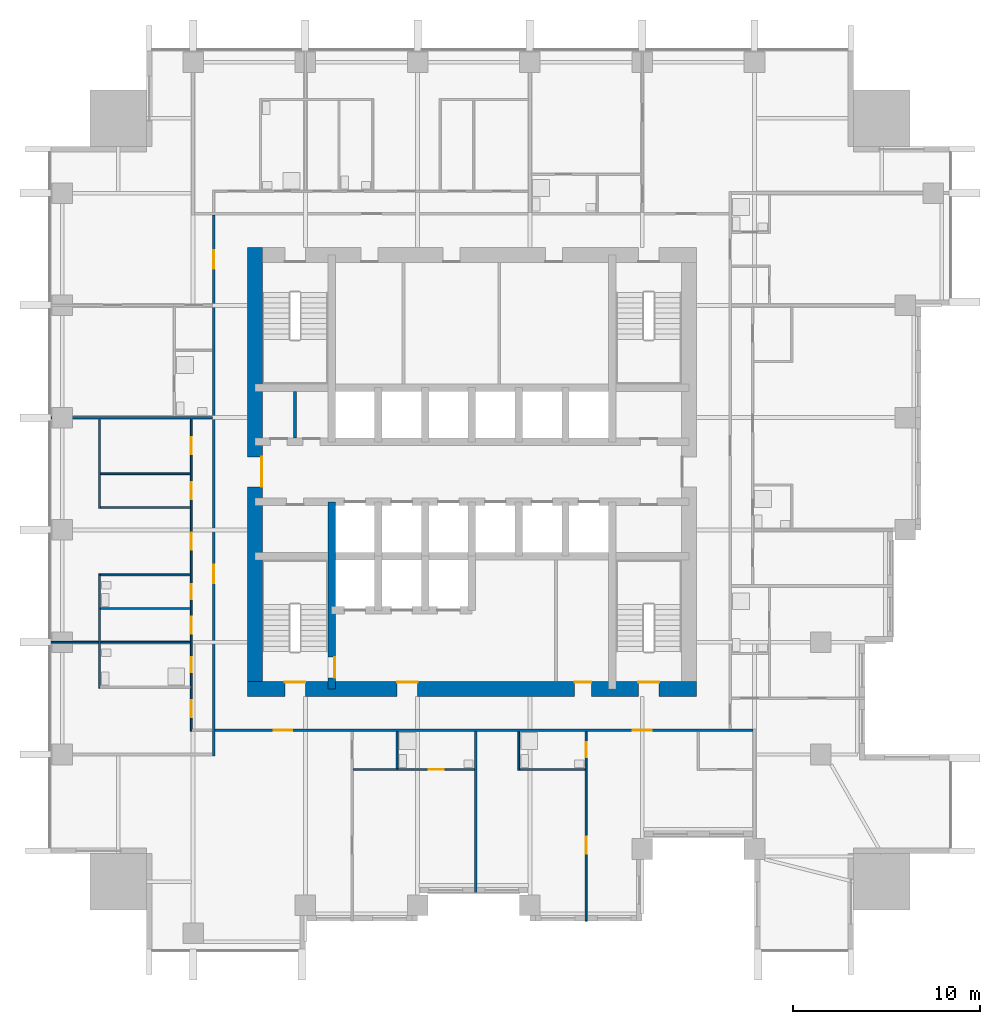
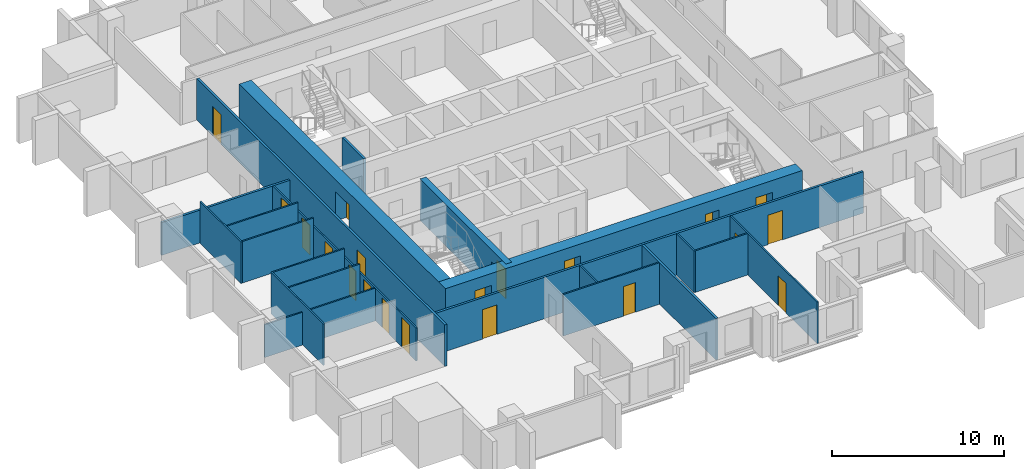
# One storey, part 4 of 10: 21 walls, 20 doors, 20 openings.
"""IFC4 building model written with IfcOpenShell, lengths in metres."""

from ifc_helpers import new_model, si_unit, direction, frame, frame_2d, origin, place, context, subcontext, project, spatial, rectangle, extrude, material, layer, layer_set, type_object, element, fill, save


model = new_model("IFC4")

# Units and contexts
model_context = context("Model", 3, precision=1e-05, world=origin(), true_north=direction((0.0, 1.0)))
body_context = subcontext(model_context, "Body", "Model", "MODEL_VIEW")
ifc_project = project(units=[si_unit("LENGTHUNIT", "METRE"), si_unit("AREAUNIT", "SQUARE_METRE"), si_unit("VOLUMEUNIT", "CUBIC_METRE"), si_unit("PLANEANGLEUNIT", "RADIAN"), si_unit("MASSUNIT", "GRAM", prefix="KILO")], contexts=[model_context])

# Site, building, storey
site_placement = place(None, origin())
site = spatial("IfcSite", under=ifc_project, at=site_placement, CompositionType="ELEMENT")
building_placement = place(site_placement, origin())
building = spatial("IfcBuilding", under=site, at=building_placement, Name="Amberfall Residences", CompositionType="ELEMENT")
storey_placement = place(building_placement, frame((0.0, 0.0, 121.60009765625)))
storey = spatial("IfcBuildingStorey", under=building, at=storey_placement, Name="L33", CompositionType="ELEMENT", Elevation=121.60009765625)

# Wall, opening, door
ifc_material_1 = material(Name="Concrete C70", Category="concrete")
ifc_layer_1 = layer(ifc_material_1, 0.39990234375)
ifc_layer_set_1 = layer_set([ifc_layer_1], Name="Core wall 400 C70")
wall_type_1 = type_object("IfcWallType", Name="Core wall 400 C70", PredefinedType="SHEAR", material=ifc_layer_set_1)
wall_1_placement = place(storey_placement, frame((67.0, 33.89990234375, 0.0), z_axis=(0.0, 0.0, 1.0), x_axis=(0.0, 1.0, 0.0)))
wall_1 = element("IfcWall", 1, at=wall_1_placement, inside=storey, type_object=wall_type_1, Name="Core wall RW4 L33 V45S", PredefinedType="SHEAR", context=body_context, shape_type="SweptSolid", body=[
    extrude(rectangle(XDim=10.0, YDim=0.39990234375, at=frame_2d((5.0, 0.0))), origin(), (0.0, 0.0, 1.0), 2.949951171875),
])
opening_1_placement = place(wall_1_placement, frame((0.60009765625, 0.0, 0.0)))
opening_1 = element("IfcOpeningElement", 2, at=opening_1_placement, cuts=wall_1, Name="Opening FL1", PredefinedType="OPENING", context=body_context, shape_type="SweptSolid", body=[
    extrude(rectangle(XDim=1.10009765625, YDim=2.10009765625, at=frame_2d((0.550048828125, 1.050048828125))), frame((0.0, 0.2099609375, 0.0), z_axis=(0.0, -1.0, 0.0), x_axis=(1.0, 0.0, 0.0)), (0.0, 0.0, 1.0), 0.419921875),
])
ifc_material_2 = material(Name="Steel fire door set", Category="steel")
door_type_1 = type_object("IfcDoorType", Name="Firefighting lobby door 1100 x 2100", OperationType="SINGLE_SWING_LEFT", PredefinedType="DOOR", material=ifc_material_2)
door_1_placement = place(opening_1_placement, origin())
door_1 = element("IfcDoor", 3, at=door_1_placement, inside=storey, type_object=door_type_1, Name="FL1 L33", OperationType="SINGLE_SWING_RIGHT", OverallHeight=2.10009765625, OverallWidth=1.10009765625, PredefinedType="DOOR", context=body_context, shape_type="SweptSolid", body=[
    extrude(rectangle(XDim=1.10009765625, YDim=2.10009765625, at=frame_2d((0.550048828125, 1.050048828125))), frame((0.0, -0.1376953125, 0.0), z_axis=(0.0, -1.0, 0.0), x_axis=(1.0, 0.0, 0.0)), (0.0, 0.0, 1.0), 0.050048828125),
])
fill(opening_1, door_1)

# Wall, openings, doors
ifc_layer_2 = layer(ifc_material_1, 0.800048828125)
ifc_layer_set_2 = layer_set([ifc_layer_2], Name="Core wall 800 C70")
wall_type_2 = type_object("IfcWallType", Name="Core wall 800 C70", PredefinedType="SHEAR", material=ifc_layer_set_2)
wall_2_placement = place(storey_placement, frame((62.5, 33.89990234375, 0.0), z_axis=(0.0, 0.0, 1.0), x_axis=(1.0, 0.0, 0.0)))
wall_2 = element("IfcWall", 4, at=wall_2_placement, inside=storey, type_object=wall_type_2, Name="Core wall RW3 L33 OS", PredefinedType="SHEAR", context=body_context, shape_type="SweptSolid", body=[
    extrude(rectangle(XDim=24.0, YDim=0.800048828125, at=frame_2d((12.0, 0.0))), origin(), (0.0, 0.0, 1.0), 2.949951171875),
])
opening_2_placement = place(wall_2_placement, frame((2.0, 0.0, 0.0)))
opening_2 = element("IfcOpeningElement", 5, at=opening_2_placement, cuts=wall_2, Name="Opening SD1", PredefinedType="OPENING", context=body_context, shape_type="SweptSolid", body=[
    extrude(rectangle(XDim=1.10009765625, YDim=2.10009765625, at=frame_2d((0.550048828125, 1.050048828125))), frame((0.0, 0.409912109375, 0.0), z_axis=(0.0, -1.0, 0.0), x_axis=(1.0, 0.0, 0.0)), (0.0, 0.0, 1.0), 0.820068359375),
])
opening_3_placement = place(wall_2_placement, frame((20.89990234375, 0.0, 0.0)))
opening_3 = element("IfcOpeningElement", 6, at=opening_3_placement, cuts=wall_2, Name="Opening SD1", PredefinedType="OPENING", context=body_context, shape_type="SweptSolid", body=[
    extrude(rectangle(XDim=1.10009765625, YDim=2.10009765625, at=frame_2d((0.550048828125, 1.050048828125))), frame((0.0, 0.409912109375, 0.0), z_axis=(0.0, -1.0, 0.0), x_axis=(1.0, 0.0, 0.0)), (0.0, 0.0, 1.0), 0.820068359375),
])
opening_4_placement = place(wall_2_placement, frame((8.0, 0.0, 0.0)))
opening_4 = element("IfcOpeningElement", 7, at=opening_4_placement, cuts=wall_2, Name="Opening FL1", PredefinedType="OPENING", context=body_context, shape_type="SweptSolid", body=[
    extrude(rectangle(XDim=1.10009765625, YDim=2.10009765625, at=frame_2d((0.550048828125, 1.050048828125))), frame((0.0, 0.409912109375, 0.0), z_axis=(0.0, -1.0, 0.0), x_axis=(1.0, 0.0, 0.0)), (0.0, 0.0, 1.0), 0.820068359375),
])
opening_5_placement = place(wall_2_placement, frame((17.487548828125, 0.0, 0.0)))
opening_5 = element("IfcOpeningElement", 8, at=opening_5_placement, cuts=wall_2, Name="Opening RD1", PredefinedType="OPENING", context=body_context, shape_type="SweptSolid", body=[
    extrude(rectangle(XDim=0.89990234375, YDim=2.10009765625, at=frame_2d((0.449951171875, 1.050048828125))), frame((0.0, 0.409912109375, 0.0), z_axis=(0.0, -1.0, 0.0), x_axis=(1.0, 0.0, 0.0)), (0.0, 0.0, 1.0), 0.820068359375),
])
door_2_placement = place(opening_4_placement, origin())
door_2 = element("IfcDoor", 9, at=door_2_placement, inside=storey, type_object=door_type_1, Name="FL1 L33", OperationType="SINGLE_SWING_LEFT", OverallHeight=2.10009765625, OverallWidth=1.10009765625, PredefinedType="DOOR", context=body_context, shape_type="SweptSolid", body=[
    extrude(rectangle(XDim=1.10009765625, YDim=2.10009765625, at=frame_2d((0.550048828125, 1.050048828125))), frame((0.0, 0.3876953125, 0.0), z_axis=(0.0, -1.0, 0.0), x_axis=(1.0, 0.0, 0.0)), (0.0, 0.0, 1.0), 0.050048828125),
])
fill(opening_4, door_2)
door_type_2 = type_object("IfcDoorType", Name="Service room door 900 x 2100", OperationType="SINGLE_SWING_LEFT", PredefinedType="DOOR", material=ifc_material_2)
door_3_placement = place(opening_5_placement, origin())
door_3 = element("IfcDoor", 10, at=door_3_placement, inside=storey, type_object=door_type_2, Name="RD1 L33", OperationType="SINGLE_SWING_LEFT", OverallHeight=2.10009765625, OverallWidth=0.89990234375, PredefinedType="DOOR", context=body_context, shape_type="SweptSolid", body=[
    extrude(rectangle(XDim=0.89990234375, YDim=2.10009765625, at=frame_2d((0.449951171875, 1.050048828125))), frame((0.0, 0.3876953125, 0.0), z_axis=(0.0, -1.0, 0.0), x_axis=(1.0, 0.0, 0.0)), (0.0, 0.0, 1.0), 0.050048828125),
])
fill(opening_5, door_3)
door_type_3 = type_object("IfcDoorType", Name="Stair door 1100 x 2100", OperationType="SINGLE_SWING_LEFT", PredefinedType="DOOR", material=ifc_material_2)
door_4_placement = place(opening_2_placement, origin())
door_4 = element("IfcDoor", 11, at=door_4_placement, inside=storey, type_object=door_type_3, Name="SD1 L33", OperationType="SINGLE_SWING_LEFT", OverallHeight=2.10009765625, OverallWidth=1.10009765625, PredefinedType="DOOR", context=body_context, shape_type="SweptSolid", body=[
    extrude(rectangle(XDim=1.10009765625, YDim=2.10009765625, at=frame_2d((0.550048828125, 1.050048828125))), frame((0.0, 0.3876953125, 0.0), z_axis=(0.0, -1.0, 0.0), x_axis=(1.0, 0.0, 0.0)), (0.0, 0.0, 1.0), 0.050048828125),
])
fill(opening_2, door_4)
door_5_placement = place(opening_3_placement, origin())
door_5 = element("IfcDoor", 12, at=door_5_placement, inside=storey, type_object=door_type_3, Name="SD1 L33", OperationType="SINGLE_SWING_RIGHT", OverallHeight=2.10009765625, OverallWidth=1.10009765625, PredefinedType="DOOR", context=body_context, shape_type="SweptSolid", body=[
    extrude(rectangle(XDim=1.10009765625, YDim=2.10009765625, at=frame_2d((0.550048828125, 1.050048828125))), frame((0.0, 0.3876953125, 0.0), z_axis=(0.0, -1.0, 0.0), x_axis=(1.0, 0.0, 0.0)), (0.0, 0.0, 1.0), 0.050048828125),
])
fill(opening_3, door_5)

# Wall, opening, door
wall_3_placement = place(storey_placement, frame((62.89990234375, 33.5, 0.0), z_axis=(0.0, 0.0, 1.0), x_axis=(0.0, 1.0, 0.0)))
wall_3 = element("IfcWall", 13, at=wall_3_placement, inside=storey, type_object=wall_type_2, Name="Core wall RW3 L33 OW", PredefinedType="SHEAR", context=body_context, shape_type="SweptSolid", body=[
    extrude(rectangle(XDim=24.0, YDim=0.800048828125, at=frame_2d((12.0, 0.0))), origin(), (0.0, 0.0, 1.0), 2.949951171875),
])
opening_6_placement = place(wall_3_placement, frame((11.199951171875, 0.0, 0.0)))
opening_6 = element("IfcOpeningElement", 14, at=opening_6_placement, cuts=wall_3, Name="Opening LB1", PredefinedType="OPENING", context=body_context, shape_type="SweptSolid", body=[
    extrude(rectangle(XDim=1.60009765625, YDim=2.10009765625, at=frame_2d((0.800048828125, 1.050048828125))), frame((0.0, 0.409912109375, 0.0), z_axis=(0.0, -1.0, 0.0), x_axis=(1.0, 0.0, 0.0)), (0.0, 0.0, 1.0), 0.820068359375),
])
door_type_4 = type_object("IfcDoorType", Name="Lift lobby double door 1600 x 2100", OperationType="DOUBLE_DOOR_SINGLE_SWING", PredefinedType="DOOR", material=ifc_material_2)
door_6_placement = place(opening_6_placement, origin())
door_6 = element("IfcDoor", 15, at=door_6_placement, inside=storey, type_object=door_type_4, Name="LB1 L33", OperationType="DOUBLE_DOOR_SINGLE_SWING", OverallHeight=2.10009765625, OverallWidth=1.60009765625, PredefinedType="DOOR", context=body_context, shape_type="SweptSolid", body=[
    extrude(rectangle(XDim=1.60009765625, YDim=2.10009765625, at=frame_2d((0.800048828125, 1.050048828125))), frame((0.0, -0.33740234375, 0.0), z_axis=(0.0, -1.0, 0.0), x_axis=(1.0, 0.0, 0.0)), (0.0, 0.0, 1.0), 0.050048828125),
])
fill(opening_6, door_6)

# Walls
ifc_material_3 = material(Name="Gypsum board on metal stud")
ifc_layer_3 = layer(ifc_material_3, 0.10009765625)
ifc_layer_set_3 = layer_set([ifc_layer_3], Name="Flat partition 100")
wall_type_3 = type_object("IfcWallType", Name="Flat partition 100", PredefinedType="PARTITIONING", material=ifc_layer_set_3)
wall_4_placement = place(storey_placement, frame((54.60009765625, 33.949951171875, 0.0), z_axis=(0.0, 0.0, 1.0), x_axis=(0.0, 1.0, 0.0)))
element("IfcWall", 16, at=wall_4_placement, inside=storey, type_object=wall_type_3, Name="Partition 001", PredefinedType="PARTITIONING", context=body_context, shape_type="SweptSolid", body=[
    extrude(rectangle(XDim=6.10009765625, YDim=0.10009765625, at=frame_2d((3.050048828125, 0.0))), origin(), (0.0, 0.0, 1.0), 2.949951171875),
])
wall_5_placement = place(storey_placement, frame((54.60009765625, 43.550048828125, 0.0), z_axis=(0.0, 0.0, 1.0), x_axis=(0.0, 1.0, 0.0)))
element("IfcWall", 17, at=wall_5_placement, inside=storey, type_object=wall_type_3, Name="Partition 002", PredefinedType="PARTITIONING", context=body_context, shape_type="SweptSolid", body=[
    extrude(rectangle(XDim=4.77490234375, YDim=0.10009765625, at=frame_2d((2.387451171875, 0.0))), origin(), (0.0, 0.0, 1.0), 2.949951171875),
])

# Wall, openings, doors
wall_6_placement = place(storey_placement, frame((59.5, 31.64990234375, 0.0), z_axis=(0.0, 0.0, 1.0), x_axis=(0.0, 1.0, 0.0)))
wall_6 = element("IfcWall", 18, at=wall_6_placement, inside=storey, type_object=wall_type_3, Name="Partition 004", PredefinedType="PARTITIONING", context=body_context, shape_type="SweptSolid", body=[
    extrude(rectangle(XDim=16.675048828125, YDim=0.10009765625, at=frame_2d((8.33740234375, 0.0))), origin(), (0.0, 0.0, 1.0), 2.331787109375),
])
opening_7_placement = place(wall_6_placement, frame((9.699951171875, 0.0, 0.0)))
opening_7 = element("IfcOpeningElement", 19, at=opening_7_placement, cuts=wall_6, Name="Opening D41", PredefinedType="OPENING", context=body_context, shape_type="SweptSolid", body=[
    extrude(rectangle(XDim=0.89990234375, YDim=2.10009765625, at=frame_2d((0.449951171875, 1.050048828125))), frame((0.0, 0.06005859375, 0.0), z_axis=(0.0, -1.0, 0.0), x_axis=(1.0, 0.0, 0.0)), (0.0, 0.0, 1.0), 0.1201171875),
])
opening_8_placement = place(wall_6_placement, frame((14.800048828125, 0.0, 0.0)))
opening_8 = element("IfcOpeningElement", 20, at=opening_8_placement, cuts=wall_6, Name="Opening D41", PredefinedType="OPENING", context=body_context, shape_type="SweptSolid", body=[
    extrude(rectangle(XDim=0.89990234375, YDim=2.10009765625, at=frame_2d((0.449951171875, 1.050048828125))), frame((0.0, 0.06005859375, 0.0), z_axis=(0.0, -1.0, 0.0), x_axis=(1.0, 0.0, 0.0)), (0.0, 0.0, 1.0), 0.1201171875),
])
opening_9_placement = place(wall_6_placement, frame((12.39990234375, 0.0, 0.0)))
opening_9 = element("IfcOpeningElement", 21, at=opening_9_placement, cuts=wall_6, Name="Opening D41", PredefinedType="OPENING", context=body_context, shape_type="SweptSolid", body=[
    extrude(rectangle(XDim=0.89990234375, YDim=2.10009765625, at=frame_2d((0.449951171875, 1.050048828125))), frame((0.0, 0.06005859375, 0.0), z_axis=(0.0, -1.0, 0.0), x_axis=(1.0, 0.0, 0.0)), (0.0, 0.0, 1.0), 0.1201171875),
])
opening_10_placement = place(wall_6_placement, frame((5.199951171875, 0.0, 0.0)))
opening_10 = element("IfcOpeningElement", 22, at=opening_10_placement, cuts=wall_6, Name="Opening D41", PredefinedType="OPENING", context=body_context, shape_type="SweptSolid", body=[
    extrude(rectangle(XDim=0.89990234375, YDim=2.10009765625, at=frame_2d((0.449951171875, 1.050048828125))), frame((0.0, 0.06005859375, 0.0), z_axis=(0.0, -1.0, 0.0), x_axis=(1.0, 0.0, 0.0)), (0.0, 0.0, 1.0), 0.1201171875),
])
opening_11_placement = place(wall_6_placement, frame((7.050048828125, 0.0, 0.0)))
opening_11 = element("IfcOpeningElement", 23, at=opening_11_placement, cuts=wall_6, Name="Opening D42", PredefinedType="OPENING", context=body_context, shape_type="SweptSolid", body=[
    extrude(rectangle(XDim=0.800048828125, YDim=2.10009765625, at=frame_2d((0.39990234375, 1.050048828125))), frame((0.0, 0.06005859375, 0.0), z_axis=(0.0, -1.0, 0.0), x_axis=(1.0, 0.0, 0.0)), (0.0, 0.0, 1.0), 0.1201171875),
])
opening_12_placement = place(wall_6_placement, frame((0.75, 0.0, 0.0)))
opening_12 = element("IfcOpeningElement", 24, at=opening_12_placement, cuts=wall_6, Name="Opening D41", PredefinedType="OPENING", context=body_context, shape_type="SweptSolid", body=[
    extrude(rectangle(XDim=0.89990234375, YDim=2.10009765625, at=frame_2d((0.449951171875, 1.050048828125))), frame((0.0, 0.06005859375, 0.0), z_axis=(0.0, -1.0, 0.0), x_axis=(1.0, 0.0, 0.0)), (0.0, 0.0, 1.0), 0.1201171875),
])
opening_13_placement = place(wall_6_placement, frame((3.14990234375, 0.0, 0.0)))
opening_13 = element("IfcOpeningElement", 25, at=opening_13_placement, cuts=wall_6, Name="Opening D42", PredefinedType="OPENING", context=body_context, shape_type="SweptSolid", body=[
    extrude(rectangle(XDim=0.800048828125, YDim=2.10009765625, at=frame_2d((0.39990234375, 1.050048828125))), frame((0.0, 0.06005859375, 0.0), z_axis=(0.0, -1.0, 0.0), x_axis=(1.0, 0.0, 0.0)), (0.0, 0.0, 1.0), 0.1201171875),
])
ifc_material_4 = material(Name="Timber", Category="wood")
door_type_5 = type_object("IfcDoorType", Name="Bathroom door 800 x 2100", OperationType="SINGLE_SWING_LEFT", PredefinedType="DOOR", material=ifc_material_4)
door_7_placement = place(opening_11_placement, origin())
door_7 = element("IfcDoor", 26, at=door_7_placement, inside=storey, type_object=door_type_5, Name="Door 3308 wc1", OperationType="SINGLE_SWING_LEFT", OverallHeight=2.10009765625, OverallWidth=0.800048828125, PredefinedType="DOOR", context=body_context, shape_type="SweptSolid", body=[
    extrude(rectangle(XDim=0.800048828125, YDim=2.10009765625, at=frame_2d((0.39990234375, 1.050048828125))), frame((0.0, 0.02490234375, 0.0), z_axis=(0.0, -1.0, 0.0), x_axis=(1.0, 0.0, 0.0)), (0.0, 0.0, 1.0), 0.050048828125),
])
fill(opening_11, door_7)
door_8_placement = place(opening_13_placement, origin())
door_8 = element("IfcDoor", 27, at=door_8_placement, inside=storey, type_object=door_type_5, Name="Door 3308 bath1", OperationType="SINGLE_SWING_LEFT", OverallHeight=2.10009765625, OverallWidth=0.800048828125, PredefinedType="DOOR", context=body_context, shape_type="SweptSolid", body=[
    extrude(rectangle(XDim=0.800048828125, YDim=2.10009765625, at=frame_2d((0.39990234375, 1.050048828125))), frame((0.0, 0.02490234375, 0.0), z_axis=(0.0, -1.0, 0.0), x_axis=(1.0, 0.0, 0.0)), (0.0, 0.0, 1.0), 0.050048828125),
])
fill(opening_13, door_8)
door_type_6 = type_object("IfcDoorType", Name="Internal door 900 x 2100", OperationType="SINGLE_SWING_LEFT", PredefinedType="DOOR", material=ifc_material_4)
door_9_placement = place(opening_7_placement, origin())
door_9 = element("IfcDoor", 28, at=door_9_placement, inside=storey, type_object=door_type_6, Name="Door 3308 living", OperationType="SINGLE_SWING_LEFT", OverallHeight=2.10009765625, OverallWidth=0.89990234375, PredefinedType="DOOR", context=body_context, shape_type="SweptSolid", body=[
    extrude(rectangle(XDim=0.89990234375, YDim=2.10009765625, at=frame_2d((0.449951171875, 1.050048828125))), frame((0.0, 0.02490234375, 0.0), z_axis=(0.0, -1.0, 0.0), x_axis=(1.0, 0.0, 0.0)), (0.0, 0.0, 1.0), 0.050048828125),
])
fill(opening_7, door_9)
door_10_placement = place(opening_8_placement, origin())
door_10 = element("IfcDoor", 29, at=door_10_placement, inside=storey, type_object=door_type_6, Name="Door 3308 kitchen", OperationType="SINGLE_SWING_LEFT", OverallHeight=2.10009765625, OverallWidth=0.89990234375, PredefinedType="DOOR", context=body_context, shape_type="SweptSolid", body=[
    extrude(rectangle(XDim=0.89990234375, YDim=2.10009765625, at=frame_2d((0.449951171875, 1.050048828125))), frame((0.0, 0.02490234375, 0.0), z_axis=(0.0, -1.0, 0.0), x_axis=(1.0, 0.0, 0.0)), (0.0, 0.0, 1.0), 0.050048828125),
])
fill(opening_8, door_10)
door_11_placement = place(opening_9_placement, origin())
door_11 = element("IfcDoor", 30, at=door_11_placement, inside=storey, type_object=door_type_6, Name="Door 3308 utility", OperationType="SINGLE_SWING_LEFT", OverallHeight=2.10009765625, OverallWidth=0.89990234375, PredefinedType="DOOR", context=body_context, shape_type="SweptSolid", body=[
    extrude(rectangle(XDim=0.89990234375, YDim=2.10009765625, at=frame_2d((0.449951171875, 1.050048828125))), frame((0.0, 0.02490234375, 0.0), z_axis=(0.0, -1.0, 0.0), x_axis=(1.0, 0.0, 0.0)), (0.0, 0.0, 1.0), 0.050048828125),
])
fill(opening_9, door_11)
door_12_placement = place(opening_10_placement, origin())
door_12 = element("IfcDoor", 31, at=door_12_placement, inside=storey, type_object=door_type_6, Name="Door 3308 store", OperationType="SINGLE_SWING_LEFT", OverallHeight=2.10009765625, OverallWidth=0.89990234375, PredefinedType="DOOR", context=body_context, shape_type="SweptSolid", body=[
    extrude(rectangle(XDim=0.89990234375, YDim=2.10009765625, at=frame_2d((0.449951171875, 1.050048828125))), frame((0.0, 0.02490234375, 0.0), z_axis=(0.0, -1.0, 0.0), x_axis=(1.0, 0.0, 0.0)), (0.0, 0.0, 1.0), 0.050048828125),
])
fill(opening_10, door_12)
door_13_placement = place(opening_12_placement, origin())
door_13 = element("IfcDoor", 32, at=door_13_placement, inside=storey, type_object=door_type_6, Name="Door 3308 bedroom1", OperationType="SINGLE_SWING_LEFT", OverallHeight=2.10009765625, OverallWidth=0.89990234375, PredefinedType="DOOR", context=body_context, shape_type="SweptSolid", body=[
    extrude(rectangle(XDim=0.89990234375, YDim=2.10009765625, at=frame_2d((0.449951171875, 1.050048828125))), frame((0.0, 0.02490234375, 0.0), z_axis=(0.0, -1.0, 0.0), x_axis=(1.0, 0.0, 0.0)), (0.0, 0.0, 1.0), 0.050048828125),
])
fill(opening_12, door_13)

# Walls
wall_7_placement = place(storey_placement, frame((70.5, 29.64990234375, 0.0), z_axis=(0.0, 0.0, 1.0), x_axis=(0.0, 1.0, 0.0)))
element("IfcWall", 33, at=wall_7_placement, inside=storey, type_object=wall_type_3, Name="Partition 011", PredefinedType="PARTITIONING", context=body_context, shape_type="SweptSolid", body=[
    extrude(rectangle(XDim=1.97509765625, YDim=0.10009765625, at=frame_2d((0.987548828125, 0.0))), origin(), (0.0, 0.0, 1.0), 2.949951171875),
])
wall_8_placement = place(storey_placement, frame((77.0, 29.550048828125, 0.0), z_axis=(0.0, 0.0, 1.0), x_axis=(0.0, 1.0, 0.0)))
element("IfcWall", 34, at=wall_8_placement, inside=storey, type_object=wall_type_3, Name="Partition 014", PredefinedType="PARTITIONING", context=body_context, shape_type="SweptSolid", body=[
    extrude(rectangle(XDim=2.074951171875, YDim=0.10009765625, at=frame_2d((1.03759765625, 0.0))), origin(), (0.0, 0.0, 1.0), 2.949951171875),
])

# Wall, openings, doors
wall_9_placement = place(storey_placement, frame((80.60009765625, 21.5, 0.0), z_axis=(0.0, 0.0, 1.0), x_axis=(0.0, 1.0, 0.0)))
wall_9 = element("IfcWall", 35, at=wall_9_placement, inside=storey, type_object=wall_type_3, Name="Partition 015", PredefinedType="PARTITIONING", context=body_context, shape_type="SweptSolid", body=[
    extrude(rectangle(XDim=10.125, YDim=0.10009765625, at=frame_2d((5.0625, 0.0))), origin(), (0.0, 0.0, 1.0), 2.949951171875),
])
opening_14_placement = place(wall_9_placement, frame((3.60009765625, 0.0, 0.0)))
opening_14 = element("IfcOpeningElement", 36, at=opening_14_placement, cuts=wall_9, Name="Opening D41", PredefinedType="OPENING", context=body_context, shape_type="SweptSolid", body=[
    extrude(rectangle(XDim=0.89990234375, YDim=2.10009765625, at=frame_2d((0.449951171875, 1.050048828125))), frame((0.0, 0.06005859375, 0.0), z_axis=(0.0, -1.0, 0.0), x_axis=(1.0, 0.0, 0.0)), (0.0, 0.0, 1.0), 0.1201171875),
])
opening_15_placement = place(wall_9_placement, frame((8.75, 0.0, 0.0)))
opening_15 = element("IfcOpeningElement", 37, at=opening_15_placement, cuts=wall_9, Name="Opening D42", PredefinedType="OPENING", context=body_context, shape_type="SweptSolid", body=[
    extrude(rectangle(XDim=0.800048828125, YDim=2.10009765625, at=frame_2d((0.39990234375, 1.050048828125))), frame((0.0, 0.06005859375, 0.0), z_axis=(0.0, -1.0, 0.0), x_axis=(1.0, 0.0, 0.0)), (0.0, 0.0, 1.0), 0.1201171875),
])
door_14_placement = place(opening_15_placement, origin())
door_14 = element("IfcDoor", 38, at=door_14_placement, inside=storey, type_object=door_type_5, Name="Door 3302 bath1", OperationType="SINGLE_SWING_LEFT", OverallHeight=2.10009765625, OverallWidth=0.800048828125, PredefinedType="DOOR", context=body_context, shape_type="SweptSolid", body=[
    extrude(rectangle(XDim=0.800048828125, YDim=2.10009765625, at=frame_2d((0.39990234375, 1.050048828125))), frame((0.0, 0.02490234375, 0.0), z_axis=(0.0, -1.0, 0.0), x_axis=(1.0, 0.0, 0.0)), (0.0, 0.0, 1.0), 0.050048828125),
])
fill(opening_15, door_14)
door_15_placement = place(opening_14_placement, origin())
door_15 = element("IfcDoor", 39, at=door_15_placement, inside=storey, type_object=door_type_6, Name="Door 3302 bedroom1", OperationType="SINGLE_SWING_LEFT", OverallHeight=2.10009765625, OverallWidth=0.89990234375, PredefinedType="DOOR", context=body_context, shape_type="SweptSolid", body=[
    extrude(rectangle(XDim=0.89990234375, YDim=2.10009765625, at=frame_2d((0.449951171875, 1.050048828125))), frame((0.0, 0.02490234375, 0.0), z_axis=(0.0, -1.0, 0.0), x_axis=(1.0, 0.0, 0.0)), (0.0, 0.0, 1.0), 0.050048828125),
])
fill(opening_14, door_15)

# Walls
for number, where, z_axis, x_axis, name in (
    (40, (54.64990234375, 45.39990234375, 0.0), (0.0, 0.0, 1.0), (1.0, 0.0, 0.0), "Partition 034"),
    (41, (54.64990234375, 43.60009765625, 0.0), (0.0, 0.0, 1.0), (1.0, 0.0, 0.0), "Partition 036"),
    (42, (54.64990234375, 40.0, 0.0), (0.0, 0.0, 1.0), (1.0, 0.0, 0.0), "Partition 038"),
    (43, (54.64990234375, 38.199951171875, 0.0), (0.0, 0.0, 1.0), (1.0, 0.0, 0.0), "Partition 039"),
):
    element("IfcWall", number, at=place(storey_placement, frame(where, z_axis=z_axis, x_axis=x_axis)), inside=storey, type_object=wall_type_3, Name=name, PredefinedType="PARTITIONING", context=body_context, shape_type="SweptSolid", body=[
        extrude(rectangle(XDim=4.800048828125, YDim=0.10009765625, at=frame_2d((2.39990234375, 0.0))), origin(), (0.0, 0.0, 1.0), 2.949951171875),
    ])
wall_10_placement = place(storey_placement, frame((52.0, 36.39990234375, 0.0), z_axis=(0.0, 0.0, 1.0), x_axis=(1.0, 0.0, 0.0)))
element("IfcWall", 44, at=wall_10_placement, inside=storey, type_object=wall_type_3, Name="Partition 040", PredefinedType="PARTITIONING", context=body_context, shape_type="SweptSolid", body=[
    extrude(rectangle(XDim=7.449951171875, YDim=0.10009765625, at=frame_2d((3.72509765625, 0.0))), origin(), (0.0, 0.0, 1.0), 2.331787109375),
])

# Wall, opening, door
wall_11_placement = place(storey_placement, frame((68.14990234375, 29.60009765625, 0.0), z_axis=(0.0, 0.0, 1.0), x_axis=(1.0, 0.0, 0.0)))
wall_11 = element("IfcWall", 45, at=wall_11_placement, inside=storey, type_object=wall_type_3, Name="Partition 045", PredefinedType="PARTITIONING", context=body_context, shape_type="SweptSolid", body=[
    extrude(rectangle(XDim=6.47509765625, YDim=0.10009765625, at=frame_2d((3.237548828125, 0.0))), origin(), (0.0, 0.0, 1.0), 2.949951171875),
])
opening_16_placement = place(wall_11_placement, frame((4.050048828125, 0.0, 0.0)))
opening_16 = element("IfcOpeningElement", 46, at=opening_16_placement, cuts=wall_11, Name="Opening D42", PredefinedType="OPENING", context=body_context, shape_type="SweptSolid", body=[
    extrude(rectangle(XDim=0.800048828125, YDim=2.10009765625, at=frame_2d((0.39990234375, 1.050048828125))), frame((0.0, 0.06005859375, 0.0), z_axis=(0.0, -1.0, 0.0), x_axis=(1.0, 0.0, 0.0)), (0.0, 0.0, 1.0), 0.1201171875),
])
door_16_placement = place(opening_16_placement, origin())
door_16 = element("IfcDoor", 47, at=door_16_placement, inside=storey, type_object=door_type_5, Name="Door 3301 bath1", OperationType="SINGLE_SWING_LEFT", OverallHeight=2.10009765625, OverallWidth=0.800048828125, PredefinedType="DOOR", context=body_context, shape_type="SweptSolid", body=[
    extrude(rectangle(XDim=0.800048828125, YDim=2.10009765625, at=frame_2d((0.39990234375, 1.050048828125))), frame((0.0, 0.02490234375, 0.0), z_axis=(0.0, -1.0, 0.0), x_axis=(1.0, 0.0, 0.0)), (0.0, 0.0, 1.0), 0.050048828125),
])
fill(opening_16, door_16)

# Wall
wall_12_placement = place(storey_placement, frame((77.050048828125, 29.60009765625, 0.0), z_axis=(0.0, 0.0, 1.0), x_axis=(1.0, 0.0, 0.0)))
element("IfcWall", 48, at=wall_12_placement, inside=storey, type_object=wall_type_3, Name="Partition 046", PredefinedType="PARTITIONING", context=body_context, shape_type="SweptSolid", body=[
    extrude(rectangle(XDim=3.5, YDim=0.10009765625, at=frame_2d((1.75, 0.0))), origin(), (0.0, 0.0, 1.0), 2.949951171875),
])

# Wall, openings, doors
ifc_material_5 = material(Name="Blockwork, plastered", Category="masonry")
ifc_layer_4 = layer(ifc_material_5, 0.14990234375)
ifc_layer_set_4 = layer_set([ifc_layer_4], Name="Flat separating wall 150")
wall_type_4 = type_object("IfcWallType", Name="Flat separating wall 150", PredefinedType="PARTITIONING", material=ifc_layer_set_4)
wall_13_placement = place(storey_placement, frame((60.699951171875, 30.324951171875, 0.0), z_axis=(0.0, 0.0, 1.0), x_axis=(0.0, 1.0, 0.0)))
wall_13 = element("IfcWall", 49, at=wall_13_placement, inside=storey, type_object=wall_type_4, Name="Separating wall 049", PredefinedType="PARTITIONING", context=body_context, shape_type="SweptSolid", body=[
    extrude(rectangle(XDim=28.900146484375, YDim=0.14990234375, at=frame_2d((14.4501953125, 0.0))), origin(), (0.0, 0.0, 1.0), 2.949951171875),
])
opening_17_placement = place(wall_13_placement, frame((9.22509765625, 0.0, 0.0)))
opening_17 = element("IfcOpeningElement", 50, at=opening_17_placement, cuts=wall_13, Name="Opening D40", PredefinedType="OPENING", context=body_context, shape_type="SweptSolid", body=[
    extrude(rectangle(XDim=1.0, YDim=2.10009765625, at=frame_2d((0.5, 1.050048828125))), frame((0.0, 0.0849609375, 0.0), z_axis=(0.0, -1.0, 0.0), x_axis=(1.0, 0.0, 0.0)), (0.0, 0.0, 1.0), 0.169921875),
])
opening_18_placement = place(wall_13_placement, frame((26.02490234375, 0.0, 0.0)))
opening_18 = element("IfcOpeningElement", 51, at=opening_18_placement, cuts=wall_13, Name="Opening D40", PredefinedType="OPENING", context=body_context, shape_type="SweptSolid", body=[
    extrude(rectangle(XDim=1.0, YDim=2.10009765625, at=frame_2d((0.5, 1.050048828125))), frame((0.0, 0.0849609375, 0.0), z_axis=(0.0, -1.0, 0.0), x_axis=(1.0, 0.0, 0.0)), (0.0, 0.0, 1.0), 0.169921875),
])
ifc_material_6 = material(Name="Timber, fire-rated", Category="wood")
door_type_7 = type_object("IfcDoorType", Name="Flat entrance door FD60 1000 x 2100", OperationType="SINGLE_SWING_LEFT", PredefinedType="DOOR", material=ifc_material_6)
door_17_placement = place(opening_17_placement, origin())
door_17 = element("IfcDoor", 52, at=door_17_placement, inside=storey, type_object=door_type_7, Name="Door 3308 entrance", OperationType="SINGLE_SWING_LEFT", OverallHeight=2.10009765625, OverallWidth=1.0, PredefinedType="DOOR", context=body_context, shape_type="SweptSolid", body=[
    extrude(rectangle(XDim=1.0, YDim=2.10009765625, at=frame_2d((0.5, 1.050048828125))), frame((0.0, 0.02490234375, 0.0), z_axis=(0.0, -1.0, 0.0), x_axis=(1.0, 0.0, 0.0)), (0.0, 0.0, 1.0), 0.050048828125),
])
fill(opening_17, door_17)
door_18_placement = place(opening_18_placement, origin())
door_18 = element("IfcDoor", 53, at=door_18_placement, inside=storey, type_object=door_type_7, Name="Door 3309 entrance", OperationType="SINGLE_SWING_LEFT", OverallHeight=2.10009765625, OverallWidth=1.0, PredefinedType="DOOR", context=body_context, shape_type="SweptSolid", body=[
    extrude(rectangle(XDim=1.0, YDim=2.10009765625, at=frame_2d((0.5, 1.050048828125))), frame((0.0, 0.02490234375, 0.0), z_axis=(0.0, -1.0, 0.0), x_axis=(1.0, 0.0, 0.0)), (0.0, 0.0, 1.0), 0.050048828125),
])
fill(opening_18, door_18)

# Walls
wall_14_placement = place(storey_placement, frame((74.699951171875, 23.0, 0.0), z_axis=(0.0, 0.0, 1.0), x_axis=(0.0, 1.0, 0.0)))
element("IfcWall", 54, at=wall_14_placement, inside=storey, type_object=wall_type_4, Name="Separating wall 050", PredefinedType="PARTITIONING", context=body_context, shape_type="SweptSolid", body=[
    extrude(rectangle(XDim=8.625, YDim=0.14990234375, at=frame_2d((4.3125, 0.0))), origin(), (0.0, 0.0, 1.0), 2.949951171875),
])
wall_15_placement = place(storey_placement, frame((52.0, 48.39990234375, 0.0), z_axis=(0.0, 0.0, 1.0), x_axis=(1.0, 0.0, 0.0)))
element("IfcWall", 55, at=wall_15_placement, inside=storey, type_object=wall_type_4, Name="Separating wall 057", PredefinedType="PARTITIONING", context=body_context, shape_type="SweptSolid", body=[
    extrude(rectangle(XDim=8.625, YDim=0.14990234375, at=frame_2d((4.3125, 0.0))), origin(), (0.0, 0.0, 1.0), 2.331787109375),
])

# Wall, openings, doors
wall_16_placement = place(storey_placement, frame((89.52490234375, 31.699951171875, 0.0), z_axis=(0.0, 0.0, 1.0), x_axis=(-1.0, 0.0, 0.0)))
wall_16 = element("IfcWall", 56, at=wall_16_placement, inside=storey, type_object=wall_type_4, Name="Separating wall 059", PredefinedType="PARTITIONING", context=body_context, shape_type="SweptSolid", body=[
    extrude(rectangle(XDim=28.75, YDim=0.14990234375, at=frame_2d((14.375, 0.0))), origin(), (0.0, 0.0, 1.0), 2.949951171875),
])
opening_19_placement = place(wall_16_placement, frame((24.625, 0.0, 0.0)))
opening_19 = element("IfcOpeningElement", 57, at=opening_19_placement, cuts=wall_16, Name="Opening D40", PredefinedType="OPENING", context=body_context, shape_type="SweptSolid", body=[
    extrude(rectangle(XDim=1.0, YDim=2.10009765625, at=frame_2d((0.5, 1.050048828125))), frame((0.0, 0.0849609375, 0.0), z_axis=(0.0, -1.0, 0.0), x_axis=(1.0, 0.0, 0.0)), (0.0, 0.0, 1.0), 0.169921875),
])
opening_20_placement = place(wall_16_placement, frame((5.425048828125, 0.0, 0.0)))
opening_20 = element("IfcOpeningElement", 58, at=opening_20_placement, cuts=wall_16, Name="Opening D40", PredefinedType="OPENING", context=body_context, shape_type="SweptSolid", body=[
    extrude(rectangle(XDim=1.0, YDim=2.10009765625, at=frame_2d((0.5, 1.050048828125))), frame((0.0, 0.0849609375, 0.0), z_axis=(0.0, -1.0, 0.0), x_axis=(1.0, 0.0, 0.0)), (0.0, 0.0, 1.0), 0.169921875),
])
door_19_placement = place(opening_19_placement, origin())
door_19 = element("IfcDoor", 59, at=door_19_placement, inside=storey, type_object=door_type_7, Name="Door 3301 entrance", OperationType="SINGLE_SWING_LEFT", OverallHeight=2.10009765625, OverallWidth=1.0, PredefinedType="DOOR", context=body_context, shape_type="SweptSolid", body=[
    extrude(rectangle(XDim=1.0, YDim=2.10009765625, at=frame_2d((0.5, 1.050048828125))), frame((0.0, 0.02490234375, 0.0), z_axis=(0.0, -1.0, 0.0), x_axis=(1.0, 0.0, 0.0)), (0.0, 0.0, 1.0), 0.050048828125),
])
fill(opening_19, door_19)
door_20_placement = place(opening_20_placement, origin())
door_20 = element("IfcDoor", 60, at=door_20_placement, inside=storey, type_object=door_type_7, Name="Door 3302 entrance", OperationType="SINGLE_SWING_LEFT", OverallHeight=2.10009765625, OverallWidth=1.0, PredefinedType="DOOR", context=body_context, shape_type="SweptSolid", body=[
    extrude(rectangle(XDim=1.0, YDim=2.10009765625, at=frame_2d((0.5, 1.050048828125))), frame((0.0, 0.02490234375, 0.0), z_axis=(0.0, -1.0, 0.0), x_axis=(1.0, 0.0, 0.0)), (0.0, 0.0, 1.0), 0.050048828125),
])
fill(opening_20, door_20)

# Wall
ifc_material_7 = material(Name="Concrete blockwork", Category="masonry")
ifc_layer_5 = layer(ifc_material_7, 0.14990234375)
ifc_layer_set_5 = layer_set([ifc_layer_5], Name="Riser wall 150")
wall_type_5 = type_object("IfcWallType", Name="Riser wall 150", PredefinedType="PLUMBINGWALL", material=ifc_layer_set_5)
wall_17_placement = place(storey_placement, frame((65.050048828125, 47.300048828125, 0.0), z_axis=(0.0, 0.0, 1.0), x_axis=(0.0, 1.0, 0.0)))
element("IfcWall", 61, at=wall_17_placement, inside=storey, type_object=wall_type_5, Name="L33 core wall ANW0", PredefinedType="PLUMBINGWALL", context=body_context, shape_type="SweptSolid", body=[
    extrude(rectangle(XDim=2.5, YDim=0.14990234375, at=frame_2d((1.25, 0.0))), origin(), (0.0, 0.0, 1.0), 2.949951171875),
])

save(model, "model.ifc")
